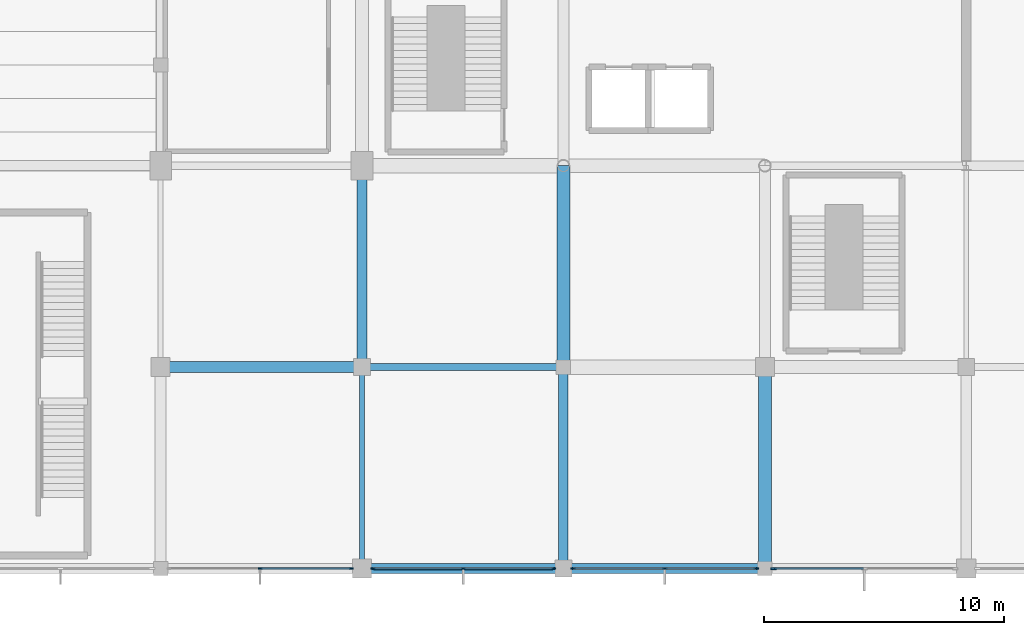
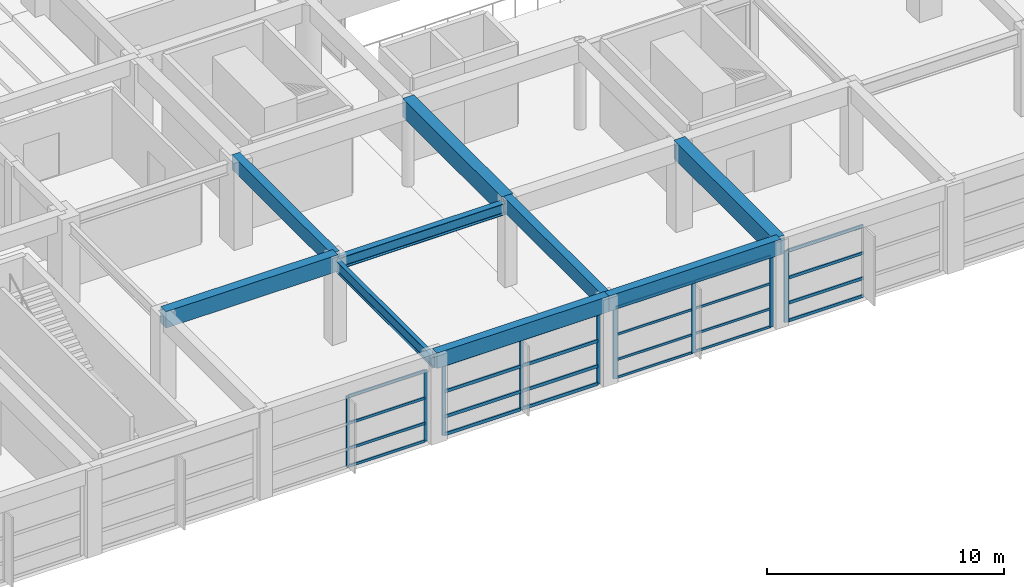
# One storey, part 22 of 62: 33 members, 9 beams, 4 elements without a shape of their own.
"""IFC4 building model written with IfcOpenShell, lengths in metres."""

from ifc_helpers import new_model, si_unit, direction, frame, origin, origin_2d, place, context, subcontext, project, spatial, rectangle, i_section, extrude, material, material_profile, profile_set, type_object, element, aggregate, save


model = new_model("IFC4")

# Units and contexts
model_context = context("Model", 3, precision=1e-05, world=origin(), true_north=direction((0.0, 1.0)))
body_context = subcontext(model_context, "Body", "Model", "MODEL_VIEW")
ifc_project = project(units=[si_unit("LENGTHUNIT", "METRE"), si_unit("AREAUNIT", "SQUARE_METRE"), si_unit("VOLUMEUNIT", "CUBIC_METRE"), si_unit("PLANEANGLEUNIT", "RADIAN"), si_unit("MASSUNIT", "GRAM", prefix="KILO")], contexts=[model_context])

# Site, building, storey
site_placement = place(None, origin())
site = spatial("IfcSite", under=ifc_project, at=site_placement, CompositionType="ELEMENT")
building_placement = place(site_placement, origin())
building = spatial("IfcBuilding", under=site, at=building_placement, Name="Xuanlan Plaza Opera House", CompositionType="ELEMENT")
storey_placement = place(building_placement, frame((0.0, 0.0, 14.39990234375)))
storey = spatial("IfcBuildingStorey", under=building, at=storey_placement, Name="L03", CompositionType="ELEMENT", Elevation=14.39990234375)

# Curtain wall, members
ifc_material_1 = material(Name="Anodised Aluminium 6063-T6 and Low-E Glass", Category="aluminium")
curtain_wall_type_1 = type_object("IfcCurtainWallType", Name="ENV-CW-CW-06", PredefinedType="USERDEFINED", material=ifc_material_1)
curtain_wall_1_placement = place(storey_placement, origin())
curtain_wall_1 = element("IfcCurtainWall", 1, at=curtain_wall_1_placement, inside=storey, type_object=curtain_wall_type_1, Name="Acoustic Glazed Wall L03-011", ObjectType="ACOUSTIC GLAZED WALL", PredefinedType="USERDEFINED")
ifc_material_2 = material(Name="Anodised Aluminium 6063-T6", Category="aluminium")
ifc_material_profile_1 = material_profile(ifc_material_2, rectangle(XDim=0.06494140625, YDim=0.159912109375, at=origin_2d()), Name="ALU-M 65x160")
ifc_profile_set_1 = profile_set([ifc_material_profile_1], Name="Anodised Aluminium 6063-T6")
member_type_1 = type_object("IfcMemberType", Name="ENV-CWM-01", PredefinedType="MULLION", material=ifc_profile_set_1)
member_1_placement = place(storey_placement, frame((96.550048828125, 16.800048828125, 0.0), z_axis=(0.0, 0.0, 1.0), x_axis=(0.0, 1.0, 0.0)))
member_1 = element("IfcMember", 2, at=member_1_placement, type_object=member_type_1, Name="CW-06 mullion 2", PredefinedType="MULLION", context=body_context, shape_type="SweptSolid", body=[
    extrude(rectangle(XDim=0.06494140625, YDim=0.159912109375, at=origin_2d()), origin(), (0.0, 0.0, 1.0), 3.68017578125),
])
member_2_placement = place(storey_placement, frame((100.347412109375, 16.800048828125, 0.0), z_axis=(0.0, 0.0, 1.0), x_axis=(0.0, 1.0, 0.0)))
member_2 = element("IfcMember", 3, at=member_2_placement, type_object=member_type_1, Name="CW-06 mullion 3", PredefinedType="MULLION", context=body_context, shape_type="SweptSolid", body=[
    extrude(rectangle(XDim=0.06494140625, YDim=0.159912109375, at=origin_2d()), origin(), (0.0, 0.0, 1.0), 3.68017578125),
])

curtain_wall_type_2 = type_object("IfcCurtainWallType", Name="ENV-CW-CW-05", PredefinedType="USERDEFINED", material=ifc_material_1)
curtain_wall_2_placement = place(storey_placement, origin())
curtain_wall_2 = element("IfcCurtainWall", 4, at=curtain_wall_2_placement, inside=storey, type_object=curtain_wall_type_2, Name="Acoustic Glazed Wall L03-012", ObjectType="ACOUSTIC GLAZED WALL", PredefinedType="USERDEFINED")
ifc_material_profile_2 = material_profile(ifc_material_2, rectangle(XDim=0.070068359375, YDim=0.179931640625, at=origin_2d()), Name="ALU-M 70x180")
ifc_profile_set_2 = profile_set([ifc_material_profile_2], Name="Anodised Aluminium 6063-T6")
member_type_2 = type_object("IfcMemberType", Name="ENV-CWM-02", PredefinedType="MULLION", material=ifc_profile_set_2)
member_3_placement = place(storey_placement, frame((101.2548828125, 16.800048828125, 0.0), z_axis=(0.0, 0.0, 1.0), x_axis=(0.0, 1.0, 0.0)))
member_3 = element("IfcMember", 5, at=member_3_placement, type_object=member_type_2, Name="CW-05 mullion 1", PredefinedType="MULLION", context=body_context, shape_type="SweptSolid", body=[
    extrude(rectangle(XDim=0.070068359375, YDim=0.179931640625, at=origin_2d()), origin(), (0.0, 0.0, 1.0), 3.68017578125),
])
member_4_placement = place(storey_placement, frame((105.02490234375, 16.800048828125, 0.0), z_axis=(0.0, 0.0, 1.0), x_axis=(0.0, 1.0, 0.0)))
member_4 = element("IfcMember", 6, at=member_4_placement, type_object=member_type_2, Name="CW-05 mullion 2", PredefinedType="MULLION", context=body_context, shape_type="SweptSolid", body=[
    extrude(rectangle(XDim=0.070068359375, YDim=0.179931640625, at=origin_2d()), origin(), (0.0, 0.0, 1.0), 3.68017578125),
])
member_5_placement = place(storey_placement, frame((108.794921875, 16.800048828125, 0.0), z_axis=(0.0, 0.0, 1.0), x_axis=(0.0, 1.0, 0.0)))
member_5 = element("IfcMember", 7, at=member_5_placement, type_object=member_type_2, Name="CW-05 mullion 3", PredefinedType="MULLION", context=body_context, shape_type="SweptSolid", body=[
    extrude(rectangle(XDim=0.070068359375, YDim=0.179931640625, at=origin_2d()), origin(), (0.0, 0.0, 1.0), 3.68017578125),
])

curtain_wall_3_placement = place(storey_placement, origin())
curtain_wall_3 = element("IfcCurtainWall", 8, at=curtain_wall_3_placement, inside=storey, type_object=curtain_wall_type_1, Name="Acoustic Glazed Wall L03-013", ObjectType="ACOUSTIC GLAZED WALL", PredefinedType="USERDEFINED")
ifc_material_profile_3 = material_profile(ifc_material_2, rectangle(XDim=0.074951171875, YDim=0.199951171875, at=origin_2d()), Name="ALU-M 75x200")
ifc_profile_set_3 = profile_set([ifc_material_profile_3], Name="Anodised Aluminium 6063-T6")
member_type_3 = type_object("IfcMemberType", Name="ENV-CWM-03", PredefinedType="MULLION", material=ifc_profile_set_3)
member_6_placement = place(storey_placement, frame((109.607421875, 16.800048828125, 0.0), z_axis=(0.0, 0.0, 1.0), x_axis=(0.0, 1.0, 0.0)))
member_6 = element("IfcMember", 9, at=member_6_placement, type_object=member_type_3, Name="CW-06 mullion 1", PredefinedType="MULLION", context=body_context, shape_type="SweptSolid", body=[
    extrude(rectangle(XDim=0.074951171875, YDim=0.199951171875, at=origin_2d()), origin(), (0.0, 0.0, 1.0), 3.68017578125),
])
member_7_placement = place(storey_placement, frame((113.425048828125, 16.800048828125, 0.0), z_axis=(0.0, 0.0, 1.0), x_axis=(0.0, 1.0, 0.0)))
member_7 = element("IfcMember", 10, at=member_7_placement, type_object=member_type_3, Name="CW-06 mullion 2", PredefinedType="MULLION", context=body_context, shape_type="SweptSolid", body=[
    extrude(rectangle(XDim=0.074951171875, YDim=0.199951171875, at=origin_2d()), origin(), (0.0, 0.0, 1.0), 3.68017578125),
])
member_8_placement = place(storey_placement, frame((117.242431640625, 16.800048828125, 0.0), z_axis=(0.0, 0.0, 1.0), x_axis=(0.0, 1.0, 0.0)))
member_8 = element("IfcMember", 11, at=member_8_placement, type_object=member_type_3, Name="CW-06 mullion 3", PredefinedType="MULLION", context=body_context, shape_type="SweptSolid", body=[
    extrude(rectangle(XDim=0.074951171875, YDim=0.199951171875, at=origin_2d()), origin(), (0.0, 0.0, 1.0), 3.68017578125),
])

# Curtain wall, member
curtain_wall_4_placement = place(storey_placement, origin())
curtain_wall_4 = element("IfcCurtainWall", 12, at=curtain_wall_4_placement, inside=storey, type_object=curtain_wall_type_2, Name="Acoustic Glazed Wall L03-014", ObjectType="ACOUSTIC GLAZED WALL", PredefinedType="USERDEFINED")
ifc_material_profile_4 = material_profile(ifc_material_2, rectangle(XDim=0.080078125, YDim=0.219970703125, at=origin_2d()), Name="ALU-M 80x220")
ifc_profile_set_4 = profile_set([ifc_material_profile_4], Name="Anodised Aluminium 6063-T6")
member_type_4 = type_object("IfcMemberType", Name="ENV-CWM-04", PredefinedType="MULLION", material=ifc_profile_set_4)
member_9_placement = place(storey_placement, frame((117.9599609375, 16.800048828125, 0.0), z_axis=(0.0, 0.0, 1.0), x_axis=(0.0, 1.0, 0.0)))
member_9 = element("IfcMember", 13, at=member_9_placement, type_object=member_type_4, Name="CW-05 mullion 1", PredefinedType="MULLION", context=body_context, shape_type="SweptSolid", body=[
    extrude(rectangle(XDim=0.080078125, YDim=0.219970703125, at=origin_2d()), origin(), (0.0, 0.0, 1.0), 3.68017578125),
])

# Member
ifc_material_profile_5 = material_profile(ifc_material_2, rectangle(XDim=0.06494140625, YDim=0.1201171875, at=origin_2d()), Name="ALU-T 65x120")
ifc_profile_set_5 = profile_set([ifc_material_profile_5], Name="Anodised Aluminium 6063-T6")
member_type_5 = type_object("IfcMemberType", Name="ENV-CWT-01", PredefinedType="USERDEFINED", material=ifc_profile_set_5)
member_10_placement = place(storey_placement, frame((109.64501953125, 16.800048828125, 0.03271484375), z_axis=(1.0, 0.0, 0.0), x_axis=(0.0, 1.0, 0.0)))
member_10 = element("IfcMember", 14, at=member_10_placement, type_object=member_type_5, Name="CW-06 transom 1.1", ObjectType="TRANSOM", PredefinedType="USERDEFINED", context=body_context, shape_type="SweptSolid", body=[
    extrude(rectangle(XDim=0.06494140625, YDim=0.1201171875, at=origin_2d()), origin(), (0.0, 0.0, 1.0), 3.742431640625),
])

member_11_placement = place(storey_placement, frame((109.64501953125, 16.800048828125, 0.9501953125), z_axis=(1.0, 0.0, 0.0), x_axis=(0.0, 1.0, 0.0)))
member_11 = element("IfcMember", 15, at=member_11_placement, type_object=member_type_5, Name="CW-06 transom 1.2", ObjectType="TRANSOM", PredefinedType="USERDEFINED", context=body_context, shape_type="SweptSolid", body=[
    extrude(rectangle(XDim=0.06494140625, YDim=0.1201171875, at=origin_2d()), origin(), (0.0, 0.0, 1.0), 3.742431640625),
])

member_12_placement = place(storey_placement, frame((109.64501953125, 16.800048828125, 2.25), z_axis=(1.0, 0.0, 0.0), x_axis=(0.0, 1.0, 0.0)))
member_12 = element("IfcMember", 16, at=member_12_placement, type_object=member_type_5, Name="CW-06 transom 1.3", ObjectType="TRANSOM", PredefinedType="USERDEFINED", context=body_context, shape_type="SweptSolid", body=[
    extrude(rectangle(XDim=0.06494140625, YDim=0.1201171875, at=origin_2d()), origin(), (0.0, 0.0, 1.0), 3.742431640625),
])

member_13_placement = place(storey_placement, frame((109.64501953125, 16.800048828125, 3.647705078125), z_axis=(1.0, 0.0, 0.0), x_axis=(0.0, 1.0, 0.0)))
member_13 = element("IfcMember", 17, at=member_13_placement, type_object=member_type_5, Name="CW-06 transom 1.4", ObjectType="TRANSOM", PredefinedType="USERDEFINED", context=body_context, shape_type="SweptSolid", body=[
    extrude(rectangle(XDim=0.06494140625, YDim=0.1201171875, at=origin_2d()), origin(), (0.0, 0.0, 1.0), 3.742431640625),
])

member_14_placement = place(storey_placement, frame((113.46240234375, 16.800048828125, 0.03271484375), z_axis=(1.0, 0.0, 0.0), x_axis=(0.0, 1.0, 0.0)))
member_14 = element("IfcMember", 18, at=member_14_placement, type_object=member_type_5, Name="CW-06 transom 2.1", ObjectType="TRANSOM", PredefinedType="USERDEFINED", context=body_context, shape_type="SweptSolid", body=[
    extrude(rectangle(XDim=0.06494140625, YDim=0.1201171875, at=origin_2d()), origin(), (0.0, 0.0, 1.0), 3.74267578125),
])

member_15_placement = place(storey_placement, frame((113.46240234375, 16.800048828125, 0.9501953125), z_axis=(1.0, 0.0, 0.0), x_axis=(0.0, 1.0, 0.0)))
member_15 = element("IfcMember", 19, at=member_15_placement, type_object=member_type_5, Name="CW-06 transom 2.2", ObjectType="TRANSOM", PredefinedType="USERDEFINED", context=body_context, shape_type="SweptSolid", body=[
    extrude(rectangle(XDim=0.06494140625, YDim=0.1201171875, at=origin_2d()), origin(), (0.0, 0.0, 1.0), 3.74267578125),
])

member_16_placement = place(storey_placement, frame((113.46240234375, 16.800048828125, 2.25), z_axis=(1.0, 0.0, 0.0), x_axis=(0.0, 1.0, 0.0)))
member_16 = element("IfcMember", 20, at=member_16_placement, type_object=member_type_5, Name="CW-06 transom 2.3", ObjectType="TRANSOM", PredefinedType="USERDEFINED", context=body_context, shape_type="SweptSolid", body=[
    extrude(rectangle(XDim=0.06494140625, YDim=0.1201171875, at=origin_2d()), origin(), (0.0, 0.0, 1.0), 3.74267578125),
])

member_17_placement = place(storey_placement, frame((113.46240234375, 16.800048828125, 3.647705078125), z_axis=(1.0, 0.0, 0.0), x_axis=(0.0, 1.0, 0.0)))
member_17 = element("IfcMember", 21, at=member_17_placement, type_object=member_type_5, Name="CW-06 transom 2.4", ObjectType="TRANSOM", PredefinedType="USERDEFINED", context=body_context, shape_type="SweptSolid", body=[
    extrude(rectangle(XDim=0.06494140625, YDim=0.1201171875, at=origin_2d()), origin(), (0.0, 0.0, 1.0), 3.74267578125),
])

aggregate(curtain_wall_3, [member_6, member_7, member_8, member_10, member_11, member_12, member_13, member_14, member_15, member_16, member_17])

ifc_material_profile_6 = material_profile(ifc_material_2, rectangle(XDim=0.070068359375, YDim=0.135009765625, at=origin_2d()), Name="ALU-T 70x135")
ifc_profile_set_6 = profile_set([ifc_material_profile_6], Name="Anodised Aluminium 6063-T6")
member_type_6 = type_object("IfcMemberType", Name="ENV-CWT-02", PredefinedType="USERDEFINED", material=ifc_profile_set_6)
member_18_placement = place(storey_placement, frame((96.58251953125, 16.800048828125, 0.03515625), z_axis=(1.0, 0.0, 0.0), x_axis=(0.0, 1.0, 0.0)))
member_18 = element("IfcMember", 22, at=member_18_placement, type_object=member_type_6, Name="CW-06 transom 2.1", ObjectType="TRANSOM", PredefinedType="USERDEFINED", context=body_context, shape_type="SweptSolid", body=[
    extrude(rectangle(XDim=0.070068359375, YDim=0.135009765625, at=origin_2d()), origin(), (0.0, 0.0, 1.0), 3.732421875),
])

member_19_placement = place(storey_placement, frame((96.58251953125, 16.800048828125, 0.9501953125), z_axis=(1.0, 0.0, 0.0), x_axis=(0.0, 1.0, 0.0)))
member_19 = element("IfcMember", 23, at=member_19_placement, type_object=member_type_6, Name="CW-06 transom 2.2", ObjectType="TRANSOM", PredefinedType="USERDEFINED", context=body_context, shape_type="SweptSolid", body=[
    extrude(rectangle(XDim=0.070068359375, YDim=0.135009765625, at=origin_2d()), origin(), (0.0, 0.0, 1.0), 3.732421875),
])

member_20_placement = place(storey_placement, frame((96.58251953125, 16.800048828125, 2.25), z_axis=(1.0, 0.0, 0.0), x_axis=(0.0, 1.0, 0.0)))
member_20 = element("IfcMember", 24, at=member_20_placement, type_object=member_type_6, Name="CW-06 transom 2.3", ObjectType="TRANSOM", PredefinedType="USERDEFINED", context=body_context, shape_type="SweptSolid", body=[
    extrude(rectangle(XDim=0.070068359375, YDim=0.135009765625, at=origin_2d()), origin(), (0.0, 0.0, 1.0), 3.732421875),
])

member_21_placement = place(storey_placement, frame((96.58251953125, 16.800048828125, 3.64501953125), z_axis=(1.0, 0.0, 0.0), x_axis=(0.0, 1.0, 0.0)))
member_21 = element("IfcMember", 25, at=member_21_placement, type_object=member_type_6, Name="CW-06 transom 2.4", ObjectType="TRANSOM", PredefinedType="USERDEFINED", context=body_context, shape_type="SweptSolid", body=[
    extrude(rectangle(XDim=0.070068359375, YDim=0.135009765625, at=origin_2d()), origin(), (0.0, 0.0, 1.0), 3.732421875),
])

aggregate(curtain_wall_1, [member_1, member_2, member_18, member_19, member_20, member_21])

ifc_material_profile_7 = material_profile(ifc_material_2, rectangle(XDim=0.074951171875, YDim=0.14990234375, at=origin_2d()), Name="ALU-T 75x150")
ifc_profile_set_7 = profile_set([ifc_material_profile_7], Name="Anodised Aluminium 6063-T6")
member_type_7 = type_object("IfcMemberType", Name="ENV-CWT-03", PredefinedType="USERDEFINED", material=ifc_profile_set_7)
member_22_placement = place(storey_placement, frame((118.0, 16.800048828125, 0.03759765625), z_axis=(1.0, 0.0, 0.0), x_axis=(0.0, 1.0, 0.0)))
member_22 = element("IfcMember", 26, at=member_22_placement, type_object=member_type_7, Name="CW-05 transom 1.1", ObjectType="TRANSOM", PredefinedType="USERDEFINED", context=body_context, shape_type="SweptSolid", body=[
    extrude(rectangle(XDim=0.074951171875, YDim=0.14990234375, at=origin_2d()), origin(), (0.0, 0.0, 1.0), 3.7099609375),
])

member_23_placement = place(storey_placement, frame((118.0, 16.800048828125, 0.9501953125), z_axis=(1.0, 0.0, 0.0), x_axis=(0.0, 1.0, 0.0)))
member_23 = element("IfcMember", 27, at=member_23_placement, type_object=member_type_7, Name="CW-05 transom 1.2", ObjectType="TRANSOM", PredefinedType="USERDEFINED", context=body_context, shape_type="SweptSolid", body=[
    extrude(rectangle(XDim=0.074951171875, YDim=0.14990234375, at=origin_2d()), origin(), (0.0, 0.0, 1.0), 3.7099609375),
])

member_24_placement = place(storey_placement, frame((118.0, 16.800048828125, 2.25), z_axis=(1.0, 0.0, 0.0), x_axis=(0.0, 1.0, 0.0)))
member_24 = element("IfcMember", 28, at=member_24_placement, type_object=member_type_7, Name="CW-05 transom 1.3", ObjectType="TRANSOM", PredefinedType="USERDEFINED", context=body_context, shape_type="SweptSolid", body=[
    extrude(rectangle(XDim=0.074951171875, YDim=0.14990234375, at=origin_2d()), origin(), (0.0, 0.0, 1.0), 3.7099609375),
])

member_25_placement = place(storey_placement, frame((118.0, 16.800048828125, 3.642578125), z_axis=(1.0, 0.0, 0.0), x_axis=(0.0, 1.0, 0.0)))
member_25 = element("IfcMember", 29, at=member_25_placement, type_object=member_type_7, Name="CW-05 transom 1.4", ObjectType="TRANSOM", PredefinedType="USERDEFINED", context=body_context, shape_type="SweptSolid", body=[
    extrude(rectangle(XDim=0.074951171875, YDim=0.14990234375, at=origin_2d()), origin(), (0.0, 0.0, 1.0), 3.7099609375),
])

aggregate(curtain_wall_4, [member_9, member_22, member_23, member_24, member_25])

ifc_material_profile_8 = material_profile(ifc_material_2, rectangle(XDim=0.080078125, YDim=0.1650390625, at=origin_2d()), Name="ALU-T 80x165")
ifc_profile_set_8 = profile_set([ifc_material_profile_8], Name="Anodised Aluminium 6063-T6")
member_type_8 = type_object("IfcMemberType", Name="ENV-CWT-04", PredefinedType="USERDEFINED", material=ifc_profile_set_8)
member_26_placement = place(storey_placement, frame((101.2900390625, 16.800048828125, 0.0400390625), z_axis=(1.0, 0.0, 0.0), x_axis=(0.0, 1.0, 0.0)))
member_26 = element("IfcMember", 30, at=member_26_placement, type_object=member_type_8, Name="CW-05 transom 1.1", ObjectType="TRANSOM", PredefinedType="USERDEFINED", context=body_context, shape_type="SweptSolid", body=[
    extrude(rectangle(XDim=0.080078125, YDim=0.1650390625, at=origin_2d()), origin(), (0.0, 0.0, 1.0), 3.699951171875),
])

member_27_placement = place(storey_placement, frame((101.2900390625, 16.800048828125, 0.9501953125), z_axis=(1.0, 0.0, 0.0), x_axis=(0.0, 1.0, 0.0)))
member_27 = element("IfcMember", 31, at=member_27_placement, type_object=member_type_8, Name="CW-05 transom 1.2", ObjectType="TRANSOM", PredefinedType="USERDEFINED", context=body_context, shape_type="SweptSolid", body=[
    extrude(rectangle(XDim=0.080078125, YDim=0.1650390625, at=origin_2d()), origin(), (0.0, 0.0, 1.0), 3.699951171875),
])

member_28_placement = place(storey_placement, frame((101.2900390625, 16.800048828125, 2.25), z_axis=(1.0, 0.0, 0.0), x_axis=(0.0, 1.0, 0.0)))
member_28 = element("IfcMember", 32, at=member_28_placement, type_object=member_type_8, Name="CW-05 transom 1.3", ObjectType="TRANSOM", PredefinedType="USERDEFINED", context=body_context, shape_type="SweptSolid", body=[
    extrude(rectangle(XDim=0.080078125, YDim=0.1650390625, at=origin_2d()), origin(), (0.0, 0.0, 1.0), 3.699951171875),
])

member_29_placement = place(storey_placement, frame((101.2900390625, 16.800048828125, 3.64013671875), z_axis=(1.0, 0.0, 0.0), x_axis=(0.0, 1.0, 0.0)))
member_29 = element("IfcMember", 33, at=member_29_placement, type_object=member_type_8, Name="CW-05 transom 1.4", ObjectType="TRANSOM", PredefinedType="USERDEFINED", context=body_context, shape_type="SweptSolid", body=[
    extrude(rectangle(XDim=0.080078125, YDim=0.1650390625, at=origin_2d()), origin(), (0.0, 0.0, 1.0), 3.699951171875),
])

member_30_placement = place(storey_placement, frame((105.06005859375, 16.800048828125, 0.0400390625), z_axis=(1.0, 0.0, 0.0), x_axis=(0.0, 1.0, 0.0)))
member_30 = element("IfcMember", 34, at=member_30_placement, type_object=member_type_8, Name="CW-05 transom 2.1", ObjectType="TRANSOM", PredefinedType="USERDEFINED", context=body_context, shape_type="SweptSolid", body=[
    extrude(rectangle(XDim=0.080078125, YDim=0.1650390625, at=origin_2d()), origin(), (0.0, 0.0, 1.0), 3.699951171875),
])

member_31_placement = place(storey_placement, frame((105.06005859375, 16.800048828125, 0.9501953125), z_axis=(1.0, 0.0, 0.0), x_axis=(0.0, 1.0, 0.0)))
member_31 = element("IfcMember", 35, at=member_31_placement, type_object=member_type_8, Name="CW-05 transom 2.2", ObjectType="TRANSOM", PredefinedType="USERDEFINED", context=body_context, shape_type="SweptSolid", body=[
    extrude(rectangle(XDim=0.080078125, YDim=0.1650390625, at=origin_2d()), origin(), (0.0, 0.0, 1.0), 3.699951171875),
])

member_32_placement = place(storey_placement, frame((105.06005859375, 16.800048828125, 2.25), z_axis=(1.0, 0.0, 0.0), x_axis=(0.0, 1.0, 0.0)))
member_32 = element("IfcMember", 36, at=member_32_placement, type_object=member_type_8, Name="CW-05 transom 2.3", ObjectType="TRANSOM", PredefinedType="USERDEFINED", context=body_context, shape_type="SweptSolid", body=[
    extrude(rectangle(XDim=0.080078125, YDim=0.1650390625, at=origin_2d()), origin(), (0.0, 0.0, 1.0), 3.699951171875),
])

member_33_placement = place(storey_placement, frame((105.06005859375, 16.800048828125, 3.64013671875), z_axis=(1.0, 0.0, 0.0), x_axis=(0.0, 1.0, 0.0)))
member_33 = element("IfcMember", 37, at=member_33_placement, type_object=member_type_8, Name="CW-05 transom 2.4", ObjectType="TRANSOM", PredefinedType="USERDEFINED", context=body_context, shape_type="SweptSolid", body=[
    extrude(rectangle(XDim=0.080078125, YDim=0.1650390625, at=origin_2d()), origin(), (0.0, 0.0, 1.0), 3.699951171875),
])

aggregate(curtain_wall_2, [member_3, member_4, member_5, member_26, member_27, member_28, member_29, member_30, member_31, member_32, member_33])

# Beams
ifc_material_3 = material(Name="Concrete C50", Category="concrete")
ifc_material_profile_9 = material_profile(ifc_material_3, rectangle(XDim=0.550048828125, YDim=0.949951171875, at=origin_2d()), Name="RC-BM 550x950")
ifc_profile_set_9 = profile_set([ifc_material_profile_9], Name="Concrete C50")
beam_type_1 = type_object("IfcBeamType", Name="STR-BM-B-02", PredefinedType="BEAM", material=ifc_profile_set_9)
beam_1_placement = place(storey_placement, frame((109.199951171875, 25.199951171875, 4.025146484375), z_axis=(0.0, 1.0, 0.0), x_axis=(-1.0, 0.0, 0.0)))
element("IfcBeam", 38, at=beam_1_placement, inside=storey, type_object=beam_type_1, Name="Grid Beam Y L03 14/D-E", PredefinedType="BEAM", context=body_context, shape_type="SweptSolid", body=[
    extrude(rectangle(XDim=0.550048828125, YDim=0.949951171875, at=origin_2d()), origin(), (0.0, 0.0, 1.0), 8.400146484375),
])
beam_2_placement = place(storey_placement, frame((117.60009765625, 16.800048828125, 4.025146484375), z_axis=(0.0, 1.0, 0.0), x_axis=(-1.0, 0.0, 0.0)))
element("IfcBeam", 39, at=beam_2_placement, inside=storey, type_object=beam_type_1, Name="Grid Beam Y L03 15/C-D", PredefinedType="BEAM", context=body_context, shape_type="SweptSolid", body=[
    extrude(rectangle(XDim=0.550048828125, YDim=0.949951171875, at=origin_2d()), origin(), (0.0, 0.0, 1.0), 8.39990234375),
])
ifc_material_4 = material(Name="Concrete C40", Category="concrete")
ifc_material_profile_10 = material_profile(ifc_material_4, rectangle(XDim=0.449951171875, YDim=0.85009765625, at=origin_2d()), Name="RC-BM 450x850")
ifc_profile_set_10 = profile_set([ifc_material_profile_10], Name="Concrete C40")
beam_type_2 = type_object("IfcBeamType", Name="STR-BM-B-04", PredefinedType="BEAM", material=ifc_profile_set_10)
beam_3_placement = place(storey_placement, frame((92.39990234375, 25.199951171875, 4.0751953125), z_axis=(1.0, 0.0, 0.0), x_axis=(0.0, 1.0, 0.0)))
element("IfcBeam", 40, at=beam_3_placement, inside=storey, type_object=beam_type_2, Name="Grid Beam X L03 12-13/D", PredefinedType="BEAM", context=body_context, shape_type="SweptSolid", body=[
    extrude(rectangle(XDim=0.449951171875, YDim=0.85009765625, at=origin_2d()), origin(), (0.0, 0.0, 1.0), 8.400146484375),
])
ifc_material_profile_11 = material_profile(ifc_material_4, rectangle(XDim=0.39990234375, YDim=0.75, at=origin_2d()), Name="RC-BM 400x750")
ifc_profile_set_11 = profile_set([ifc_material_profile_11], Name="Concrete C40")
beam_type_3 = type_object("IfcBeamType", Name="STR-BM-B-06", PredefinedType="BEAM", material=ifc_profile_set_11)
beam_4_placement = place(storey_placement, frame((100.800048828125, 25.199951171875, 4.125), z_axis=(0.0, 1.0, 0.0), x_axis=(-1.0, 0.0, 0.0)))
element("IfcBeam", 41, at=beam_4_placement, inside=storey, type_object=beam_type_3, Name="Grid Beam Y L03 13/D-E", PredefinedType="BEAM", context=body_context, shape_type="SweptSolid", body=[
    extrude(rectangle(XDim=0.39990234375, YDim=0.75, at=origin_2d()), origin(), (0.0, 0.0, 1.0), 8.400146484375),
])
beam_5_placement = place(storey_placement, frame((109.199951171875, 16.800048828125, 4.125), z_axis=(0.0, 1.0, 0.0), x_axis=(-1.0, 0.0, 0.0)))
element("IfcBeam", 42, at=beam_5_placement, inside=storey, type_object=beam_type_3, Name="Grid Beam Y L03 14/C-D", PredefinedType="BEAM", context=body_context, shape_type="SweptSolid", body=[
    extrude(rectangle(XDim=0.39990234375, YDim=0.75, at=origin_2d()), origin(), (0.0, 0.0, 1.0), 8.39990234375),
])
ifc_material_5 = material(Name="Steel Q355B", Category="steel")
ifc_material_profile_12 = material_profile(ifc_material_5, i_section(OverallWidth=0.199951171875, OverallDepth=0.60009765625, WebThickness=0.010986328125, FlangeThickness=0.01708984375, FilletRadius=0.02197265625, at=origin_2d()), Name="HN 600x200x11x17")
ifc_profile_set_12 = profile_set([ifc_material_profile_12], Name="Steel Q355B")
beam_type_4 = type_object("IfcBeamType", Name="STR-BM-SB-04", PredefinedType="BEAM", material=ifc_profile_set_12)
beam_6_placement = place(storey_placement, frame((100.800048828125, 16.800048828125, 3.93505859375), z_axis=(0.0, 1.0, 0.0), x_axis=(-1.0, 0.0, 0.0)))
element("IfcBeam", 43, at=beam_6_placement, inside=storey, type_object=beam_type_4, Name="Grid Beam Y L03 13/C-D", PredefinedType="BEAM", context=body_context, shape_type="SweptSolid", body=[
    extrude(i_section(OverallWidth=0.199951171875, OverallDepth=0.60009765625, WebThickness=0.010986328125, FlangeThickness=0.01708984375, FilletRadius=0.02197265625, at=origin_2d()), origin(), (0.0, 0.0, 1.0), 8.39990234375),
])
ifc_material_profile_13 = material_profile(ifc_material_5, i_section(OverallWidth=0.300048828125, OverallDepth=0.587890625, WebThickness=0.011962890625, FlangeThickness=0.02001953125, FilletRadius=0.02392578125, at=origin_2d()), Name="HM 588x300x12x20")
ifc_profile_set_13 = profile_set([ifc_material_profile_13], Name="Steel Q355B")
beam_type_5 = type_object("IfcBeamType", Name="STR-BM-SB-06", PredefinedType="BEAM", material=ifc_profile_set_13)
beam_7_placement = place(storey_placement, frame((100.800048828125, 25.199951171875, 3.941162109375), z_axis=(1.0, 0.0, 0.0), x_axis=(0.0, 1.0, 0.0)))
element("IfcBeam", 44, at=beam_7_placement, inside=storey, type_object=beam_type_5, Name="Grid Beam X L03 13-14/D", PredefinedType="BEAM", context=body_context, shape_type="SweptSolid", body=[
    extrude(i_section(OverallWidth=0.300048828125, OverallDepth=0.587890625, WebThickness=0.011962890625, FlangeThickness=0.02001953125, FilletRadius=0.02392578125, at=origin_2d()), origin(), (0.0, 0.0, 1.0), 8.39990234375),
])
ifc_material_profile_14 = material_profile(ifc_material_4, rectangle(XDim=0.39990234375, YDim=0.800048828125, at=origin_2d()), Name="RC-SPD 400x800")
ifc_profile_set_14 = profile_set([ifc_material_profile_14], Name="Concrete C40")
beam_type_6 = type_object("IfcBeamType", Name="STR-BM-SP-01", PredefinedType="SPANDREL", material=ifc_profile_set_14)
beam_8_placement = place(storey_placement, frame((100.800048828125, 16.800048828125, 4.10009765625), z_axis=(1.0, 0.0, 0.0), x_axis=(0.0, 1.0, 0.0)))
element("IfcBeam", 45, at=beam_8_placement, inside=storey, type_object=beam_type_6, Name="Grid Beam X L03 13-14/C", PredefinedType="SPANDREL", context=body_context, shape_type="SweptSolid", body=[
    extrude(rectangle(XDim=0.39990234375, YDim=0.800048828125, at=origin_2d()), origin(), (0.0, 0.0, 1.0), 8.39990234375),
])
beam_9_placement = place(storey_placement, frame((109.199951171875, 16.800048828125, 4.10009765625), z_axis=(1.0, 0.0, 0.0), x_axis=(0.0, 1.0, 0.0)))
element("IfcBeam", 46, at=beam_9_placement, inside=storey, type_object=beam_type_6, Name="Grid Beam X L03 14-15/C", PredefinedType="SPANDREL", context=body_context, shape_type="SweptSolid", body=[
    extrude(rectangle(XDim=0.39990234375, YDim=0.800048828125, at=origin_2d()), origin(), (0.0, 0.0, 1.0), 8.400146484375),
])

save(model, "model.ifc")
